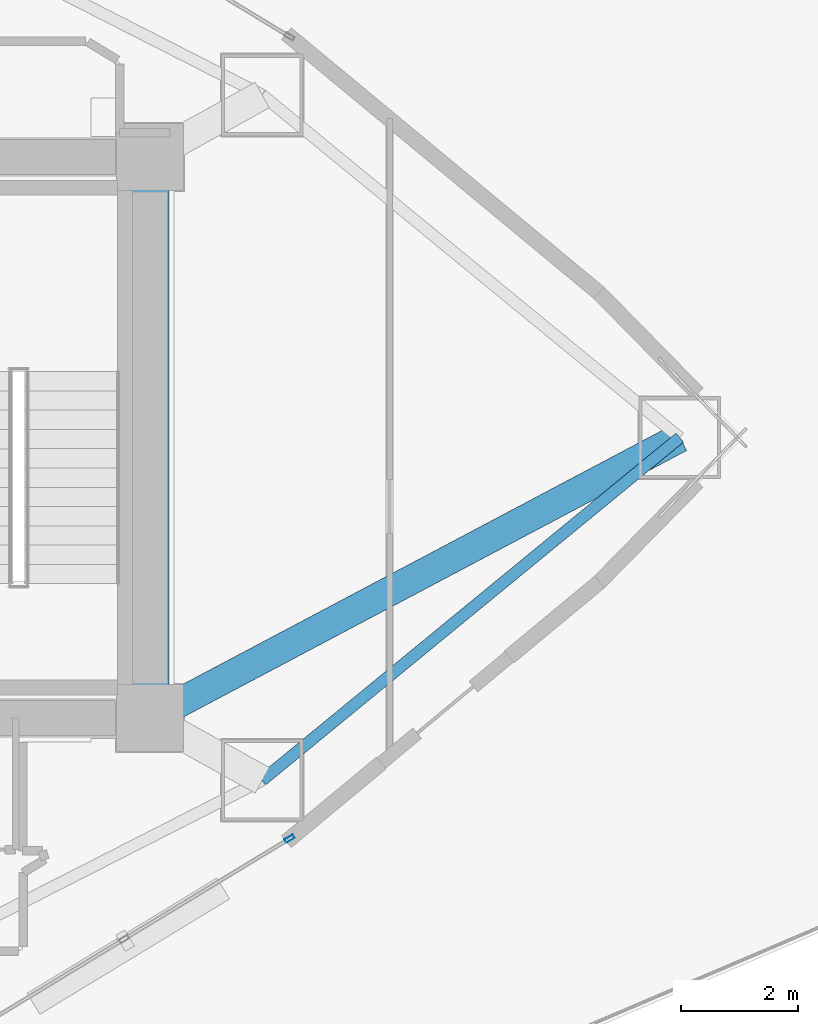
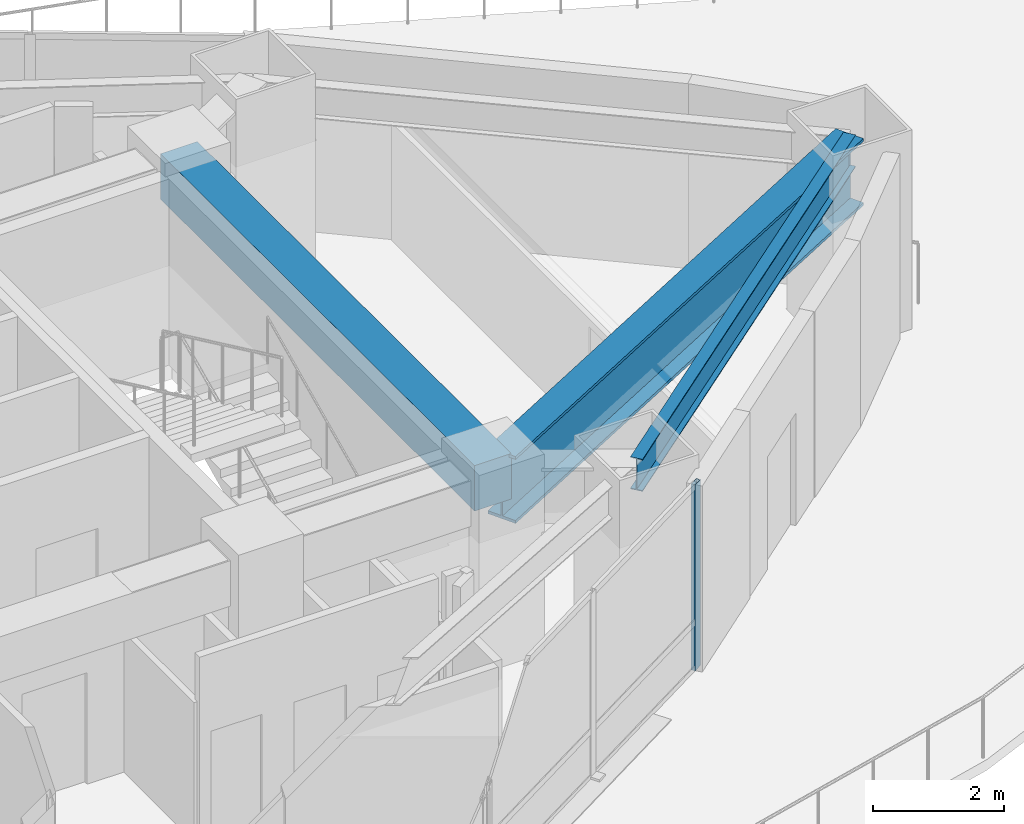
# One storey, part 6 of 19: 3 beams, 1 member, 1 element without a shape of its own.
"""IFC4 building model written with IfcOpenShell, lengths in metres."""

from ifc_helpers import new_model, si_unit, direction, frame, origin, origin_2d, place, context, subcontext, project, spatial, rectangle, hollow_rectangle, i_section, extrude, material, layer, layer_set, material_profile, profile_set, type_object, element, aggregate, save


model = new_model("IFC4")

# Units and contexts
model_context = context("Model", 3, precision=1e-05, world=origin(), true_north=direction((0.0, 1.0)))
body_context = subcontext(model_context, "Body", "Model", "MODEL_VIEW")
ifc_project = project(units=[si_unit("LENGTHUNIT", "METRE"), si_unit("AREAUNIT", "SQUARE_METRE"), si_unit("VOLUMEUNIT", "CUBIC_METRE"), si_unit("PLANEANGLEUNIT", "RADIAN"), si_unit("MASSUNIT", "GRAM", prefix="KILO")], contexts=[model_context])

# Site, building, storey
site_placement = place(None, origin())
site = spatial("IfcSite", under=ifc_project, at=site_placement, CompositionType="ELEMENT")
building_placement = place(site_placement, origin())
building = spatial("IfcBuilding", under=site, at=building_placement, Name="Menara Vayukalpa", CompositionType="ELEMENT")
storey_placement = place(building_placement, frame((0.0, 0.0, 68.52001953125)))
storey = spatial("IfcBuildingStorey", under=building, at=storey_placement, Name="L16", CompositionType="ELEMENT", Elevation=68.52001953125)

# Beams
ifc_material_1 = material(Name="Concrete C60/75", Category="concrete")
ifc_material_profile_1 = material_profile(ifc_material_1, rectangle(XDim=0.64990234375, YDim=0.85009765625, at=origin_2d()), Name="RC 650x850")
ifc_profile_set_1 = profile_set([ifc_material_profile_1], Name="Concrete C60/75")
beam_type_1 = type_object("IfcBeamType", Name="BM-CB1", PredefinedType="BEAM", material=ifc_profile_set_1)
beam_1_placement = place(storey_placement, frame((33.39990234375, 17.199951171875, 3.044921875), z_axis=(0.0, 1.0, 0.0), x_axis=(-1.0, 0.0, 0.0)))
element("IfcBeam", 1, at=beam_1_placement, inside=storey, type_object=beam_type_1, Name="L16 Core Tie Beam CBR8", PredefinedType="BEAM", context=body_context, shape_type="SweptSolid", body=[
    extrude(rectangle(XDim=0.64990234375, YDim=0.85009765625, at=origin_2d()), origin(), (0.0, 0.0, 1.0), 9.60009765625),
])
ifc_material_2 = material(Name="Steel S355", Category="steel")
ifc_material_profile_2 = material_profile(ifc_material_2, i_section(OverallWidth=0.199951171875, OverallDepth=0.60009765625, WebThickness=0.010986328125, FlangeThickness=0.01708984375, at=origin_2d()), Name="WF 600x200x11x17")
ifc_profile_set_2 = profile_set([ifc_material_profile_2], Name="Steel S355")
beam_type_2 = type_object("IfcBeamType", Name="BM-SP1", PredefinedType="SPANDREL", material=ifc_profile_set_2)
beam_2_placement = place(storey_placement, frame((35.318115234375, 16.13671875, 3.169921875), z_axis=(0.773110561587, 0.63427128231, 0.0), x_axis=(-0.63427128231, 0.773110561587, 0.0)))
element("IfcBeam", 2, at=beam_2_placement, inside=storey, type_object=beam_type_2, Name="L16 Perimeter Spandrel Beam SP09", PredefinedType="SPANDREL", context=body_context, shape_type="SweptSolid", body=[
    extrude(i_section(OverallWidth=0.199951171875, OverallDepth=0.60009765625, WebThickness=0.010986328125, FlangeThickness=0.01708984375, at=origin_2d()), origin(), (0.0, 0.0, 1.0), 9.244140625),
])
ifc_material_3 = material(Name="Steel S460", Category="steel")
ifc_material_profile_3 = material_profile(ifc_material_3, i_section(OverallWidth=0.5, OverallDepth=1.25, WebThickness=0.028076171875, FlangeThickness=0.054931640625, at=origin_2d()), Name="WG 1250x500x28x55")
ifc_profile_set_3 = profile_set([ifc_material_profile_3], Name="Steel S460")
beam_type_3 = type_object("IfcBeamType", Name="BM-TG2", PredefinedType="BEAM", material=ifc_profile_set_3)
beam_3_placement = place(storey_placement, frame((33.620849609375, 17.31689453125, 2.844970703125), z_axis=(0.883746967157, 0.467965060704, 0.0), x_axis=(-0.467965060704, 0.883746967157, 0.0)))
element("IfcBeam", 3, at=beam_3_placement, inside=storey, type_object=beam_type_3, Name="L16 Primary Radial Girder RG01", PredefinedType="BEAM", context=body_context, shape_type="SweptSolid", body=[
    extrude(i_section(OverallWidth=0.5, OverallDepth=1.25, WebThickness=0.028076171875, FlangeThickness=0.054931640625, at=origin_2d()), origin(), (0.0, 0.0, 1.0), 10.00732421875),
])

# Curtain wall, member
ifc_material_4 = material(Name="Anodised Terracotta Aluminium Alloy 6063-T6", Category="masonry")
ifc_layer = layer(ifc_material_4, 0.1650390625)
ifc_layer_set = layer_set([ifc_layer], Name="Anodised Terracotta Aluminium Alloy 6063-T6")
curtain_wall_type = type_object("IfcCurtainWallType", Name="CW-CW2", PredefinedType="USERDEFINED", material=ifc_layer_set)
curtain_wall_placement = place(storey_placement, origin())
curtain_wall = element("IfcCurtainWall", 4, at=curtain_wall_placement, inside=storey, type_object=curtain_wall_type, Name="L16 Low Rise Terracotta Ribbon Curtain Wall CW2 17", ObjectType="UNITISED", PredefinedType="USERDEFINED")
ifc_material_5 = material(Name="Anodised Terracotta Aluminium Alloy 6063-T6", Category="masonry")
ifc_material_profile_4 = material_profile(ifc_material_5, hollow_rectangle(XDim=0.070068359375, YDim=0.1650390625, WallThickness=0.00390625, at=origin_2d()), Name="ALU 70x165x4")
ifc_profile_set_4 = profile_set([ifc_material_profile_4], Name="Anodised Terracotta Aluminium Alloy 6063-T6")
member_type = type_object("IfcMemberType", Name="CWM-CW2", PredefinedType="MULLION", material=ifc_profile_set_4)
member_placement = place(storey_placement, frame((35.787353515625, 15.138427734375, 0.0), z_axis=(0.0, 0.0, 1.0), x_axis=(-0.519181964377, 0.854663727945, 0.0)))
member = element("IfcMember", 5, at=member_placement, type_object=member_type, Name="CW2 mullion 3", PredefinedType="MULLION", context=body_context, shape_type="SweptSolid", body=[
    extrude(hollow_rectangle(XDim=0.070068359375, YDim=0.1650390625, WallThickness=0.00390625, at=origin_2d()), origin(), (0.0, 0.0, 1.0), 3.469970703125),
])
aggregate(curtain_wall, [member])

save(model, "model.ifc")
